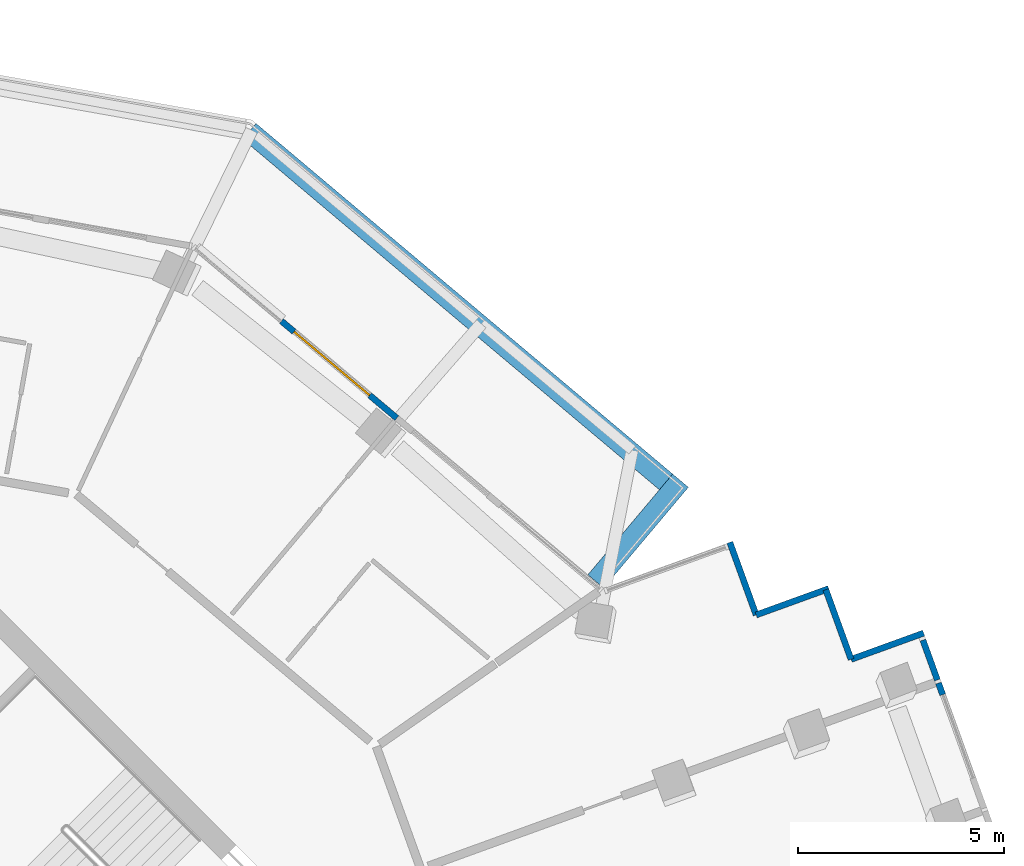
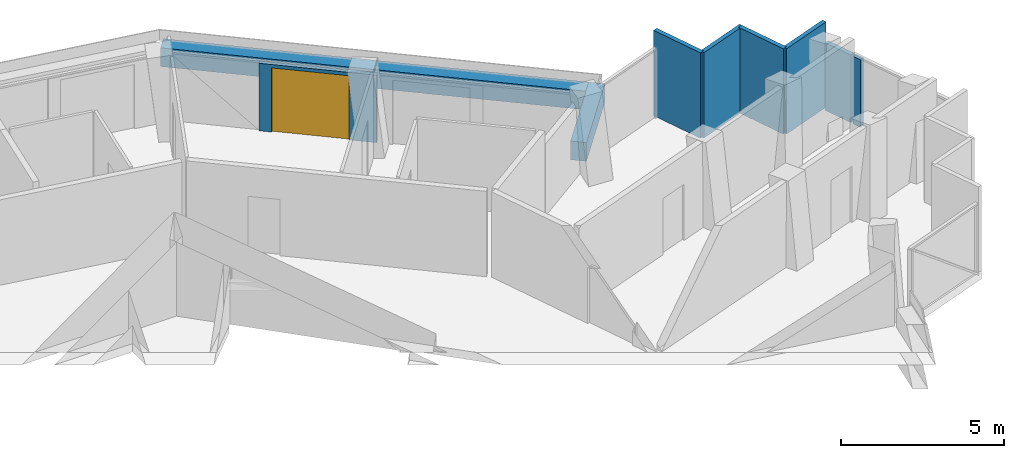
# One storey, part 19 of 22: 9 walls, 1 door, 1 opening.
"""IFC4 building model written with IfcOpenShell, lengths in metres."""

from ifc_helpers import new_model, si_unit, direction, frame, frame_2d, origin, place, context, subcontext, project, spatial, rectangle, extrude, material, layer, layer_set, type_object, element, fill, save


model = new_model("IFC4")

# Units and contexts
model_context = context("Model", 3, precision=1e-05, world=origin(), true_north=direction((0.0, 1.0)))
body_context = subcontext(model_context, "Body", "Model", "MODEL_VIEW")
ifc_project = project(units=[si_unit("LENGTHUNIT", "METRE"), si_unit("AREAUNIT", "SQUARE_METRE"), si_unit("VOLUMEUNIT", "CUBIC_METRE"), si_unit("PLANEANGLEUNIT", "RADIAN"), si_unit("MASSUNIT", "GRAM", prefix="KILO")], contexts=[model_context])

# Site, building, storey
site_placement = place(None, origin())
site = spatial("IfcSite", under=ifc_project, at=site_placement, CompositionType="ELEMENT")
building_placement = place(site_placement, origin())
building = spatial("IfcBuilding", under=site, at=building_placement, Name="Verdalira Terraces Hotel", CompositionType="ELEMENT")
storey_placement = place(building_placement, frame((0.0, 0.0, 237.5)))
storey = spatial("IfcBuildingStorey", under=building, at=storey_placement, Name="L58", CompositionType="ELEMENT", Elevation=237.5)

# Walls
ifc_material_1 = material(Name="Concrete C40", Category="concrete")
ifc_layer_1 = layer(ifc_material_1, 0.5)
ifc_layer_set_1 = layer_set([ifc_layer_1], Name="Balcony planter trough with tree")
wall_type_1 = type_object("IfcWallType", Name="Balcony planter trough with tree", PredefinedType="SOLIDWALL", material=ifc_layer_set_1)
wall_1_placement = place(storey_placement, frame((20.401611, 14.537842, 0.0), z_axis=(0.0, 0.0, 1.0), x_axis=(0.64387015, 0.765134779, 0.0)))
element("IfcWall", 1, at=wall_1_placement, inside=storey, type_object=wall_type_1, Name="Balcony planter", PredefinedType="SOLIDWALL", context=body_context, shape_type="SweptSolid", body=[
    extrude(rectangle(XDim=3.199219, YDim=0.5, at=frame_2d((1.599609, 0.0))), origin(), (0.0, 0.0, 1.0), 0.699951),
])
wall_2_placement = place(storey_placement, frame((22.109131, 16.955322, 0.0), z_axis=(0.0, 0.0, 1.0), x_axis=(-0.765151011, 0.64385086, 0.0)))
element("IfcWall", 2, at=wall_2_placement, inside=storey, type_object=wall_type_1, Name="Balcony planter", PredefinedType="SOLIDWALL", context=body_context, shape_type="SweptSolid", body=[
    extrude(rectangle(XDim=13.223389, YDim=0.5, at=frame_2d((6.611816, 0.0))), origin(), (0.0, 0.0, 1.0), 0.699951),
])
ifc_material_2 = material(Name="Terracotta cladding", Category="masonry")
ifc_layer_2 = layer(ifc_material_2, 0.14990234375)
ifc_layer_set_2 = layer_set([ifc_layer_2], Name="Terracotta clad wall 150")
wall_type_2 = type_object("IfcWallType", Name="Terracotta clad wall 150", PredefinedType="SOLIDWALL", material=ifc_layer_set_2)
wall_3_placement = place(storey_placement, frame((28.365723, 13.28418, 0.0), z_axis=(0.0, 0.0, 1.0), x_axis=(-0.940203316, -0.340613748, 0.0)))
element("IfcWall", 3, at=wall_3_placement, inside=storey, type_object=wall_type_2, Name="Terracotta cladding wall", PredefinedType="SOLIDWALL", context=body_context, shape_type="SweptSolid", body=[
    extrude(rectangle(XDim=1.875, YDim=0.149902, at=frame_2d((0.9375, 0.0))), origin(), (0.0, 0.0, 1.0), 3.189941),
])
wall_4_placement = place(storey_placement, frame((26.602783, 12.645508, 0.0), z_axis=(0.0, 0.0, 1.0), x_axis=(-0.340740876, 0.94015725, 0.0)))
element("IfcWall", 4, at=wall_4_placement, inside=storey, type_object=wall_type_2, Name="Terracotta cladding wall", PredefinedType="SOLIDWALL", context=body_context, shape_type="SweptSolid", body=[
    extrude(rectangle(XDim=1.799805, YDim=0.149902, at=frame_2d((0.899902, 0.0))), origin(), (0.0, 0.0, 1.0), 3.189941),
])
wall_5_placement = place(storey_placement, frame((26.060059, 14.363281, 0.0), z_axis=(0.0, 0.0, 1.0), x_axis=(-0.940146495, -0.340770551, 0.0)))
element("IfcWall", 5, at=wall_5_placement, inside=storey, type_object=wall_type_2, Name="Terracotta cladding wall", PredefinedType="SOLIDWALL", context=body_context, shape_type="SweptSolid", body=[
    extrude(rectangle(XDim=1.875, YDim=0.149902, at=frame_2d((0.9375, 0.0))), origin(), (0.0, 0.0, 1.0), 3.189941),
])
wall_6_placement = place(storey_placement, frame((24.297363, 13.724365, 0.0), z_axis=(0.0, 0.0, 1.0), x_axis=(-0.340728838, 0.940161613, 0.0)))
element("IfcWall", 6, at=wall_6_placement, inside=storey, type_object=wall_type_2, Name="Terracotta cladding wall", PredefinedType="SOLIDWALL", context=body_context, shape_type="SweptSolid", body=[
    extrude(rectangle(XDim=1.875244, YDim=0.149902, at=frame_2d((0.9375, 0.0))), origin(), (0.0, 0.0, 1.0), 3.189941),
])
ifc_material_3 = material(Name="Terracotta cladding", Category="masonry")
ifc_layer_3 = layer(ifc_material_3, 0.14990234375)
ifc_layer_set_3 = layer_set([ifc_layer_3], Name="Terracotta column pier 150")
wall_type_3 = type_object("IfcWallType", Name="Terracotta column pier 150", PredefinedType="SOLIDWALL", material=ifc_layer_set_3)
wall_7_placement = place(storey_placement, frame((28.828369, 11.787109, 0.0), z_axis=(0.0, 0.0, 1.0), x_axis=(-0.340044243, 0.940409439, 0.0)))
element("IfcWall", 7, at=wall_7_placement, inside=storey, type_object=wall_type_3, Name="Terracotta column pier", PredefinedType="SOLIDWALL", context=body_context, shape_type="SweptSolid", body=[
    extrude(rectangle(XDim=0.300049, YDim=0.149902, at=frame_2d((0.149902, 0.0))), origin(), (0.0, 0.0, 1.0), 2.524902),
])
wall_8_placement = place(storey_placement, frame((28.698975, 12.144531, 0.0), z_axis=(0.0, 0.0, 1.0), x_axis=(-0.340791469, 0.940138913, 0.0)))
element("IfcWall", 8, at=wall_8_placement, inside=storey, type_object=wall_type_3, Name="Terracotta column pier", PredefinedType="SOLIDWALL", context=body_context, shape_type="SweptSolid", body=[
    extrude(rectangle(XDim=1.030273, YDim=0.149902, at=frame_2d((0.515137, 0.0))), origin(), (0.0, 0.0, 1.0), 2.524902),
])

# Wall, opening, door
ifc_material_4 = material(Name="Terracotta cladding", Category="masonry")
ifc_layer_4 = layer(ifc_material_4, 0.14990234375)
ifc_layer_set_4 = layer_set([ifc_layer_4], Name="Terracotta door pier 150")
wall_type_4 = type_object("IfcWallType", Name="Terracotta door pier 150", PredefinedType="SOLIDWALL", material=ifc_layer_set_4)
wall_9_placement = place(storey_placement, frame((15.570557, 18.503662, 0.0), z_axis=(0.0, 0.0, 1.0), x_axis=(-0.765118664, 0.643889299, 0.0)))
wall_9 = element("IfcWall", 9, at=wall_9_placement, inside=storey, type_object=wall_type_4, Name="Terracotta door pier", PredefinedType="SOLIDWALL", context=body_context, shape_type="SweptSolid", body=[
    extrude(rectangle(XDim=3.661133, YDim=0.149902, at=frame_2d((1.830566, 0.0))), origin(), (0.0, 0.0, 1.0), 2.524902),
])
opening_placement = place(wall_9_placement, frame((0.861328, 0.0, 0.0)))
opening = element("IfcOpeningElement", 10, at=opening_placement, cuts=wall_9, Name="Opening L58-B13", PredefinedType="OPENING", context=body_context, shape_type="SweptSolid", body=[
    extrude(rectangle(XDim=2.399902, YDim=2.399902, at=frame_2d((1.199951, 1.199951))), frame((0.0, 0.084961, 0.0), z_axis=(0.0, -1.0, 0.0), x_axis=(1.0, 0.0, 0.0)), (0.0, 0.0, 1.0), 0.169922),
])
ifc_material_5 = material(Name="Clear glass", Category="glass")
door_type = type_object("IfcDoorType", Name="Balcony sliding door 2400x2400", OperationType="NOTDEFINED", PredefinedType="DOOR", material=ifc_material_5)
door_placement = place(opening_placement, origin())
door = element("IfcDoor", 11, at=door_placement, inside=storey, type_object=door_type, Name="Balcony sliding door", OperationType="SLIDING_TO_LEFT", OverallHeight=2.39990234375, OverallWidth=2.39990234375, PredefinedType="DOOR", context=body_context, shape_type="SweptSolid", body=[
    extrude(rectangle(XDim=2.399902, YDim=2.399902, at=frame_2d((1.199951, 1.199951))), frame((0.0, 0.024902, 0.0), z_axis=(0.0, -1.0, 0.0), x_axis=(1.0, 0.0, 0.0)), (0.0, 0.0, 1.0), 0.050049),
])
fill(opening, door)

save(model, "model.ifc")
